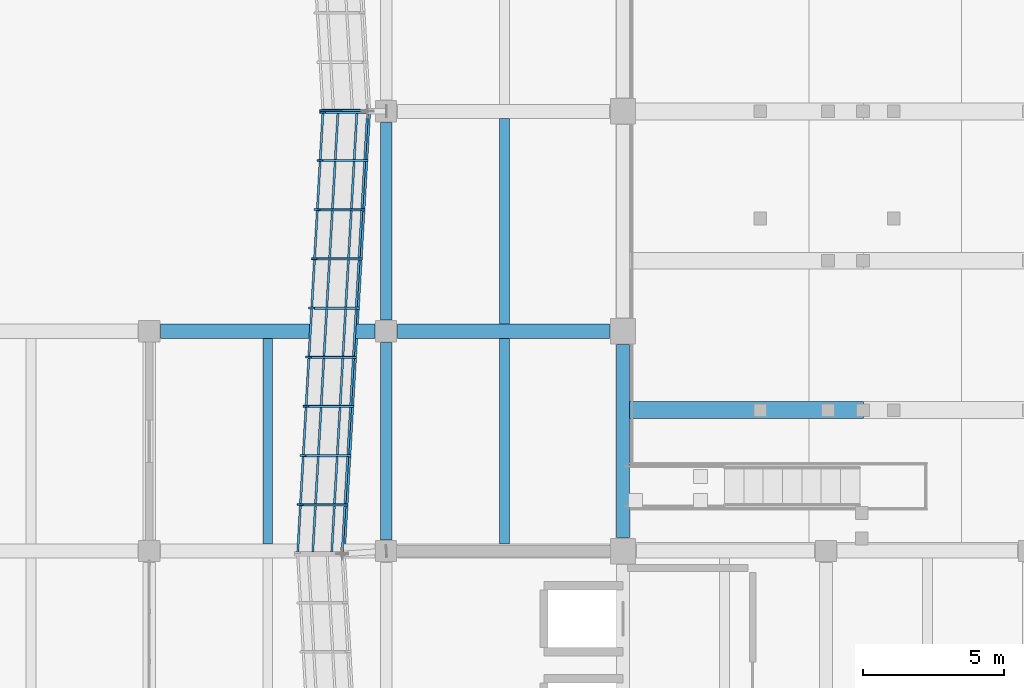
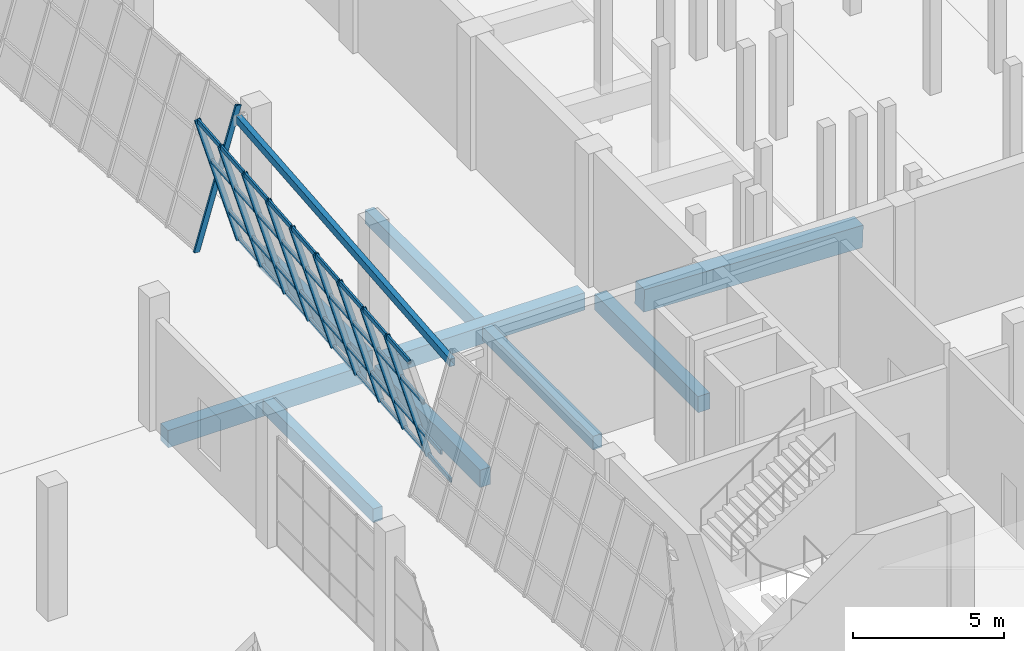
# One storey, part 23 of 78: 46 members, 10 beams, 2 elements without a shape of their own.
"""IFC4 building model written with IfcOpenShell, lengths in metres."""

from ifc_helpers import new_model, si_unit, direction, frame, origin, origin_2d, place, context, subcontext, project, spatial, rectangle, hollow_rectangle, extrude, material, material_profile, profile_set, type_object, element, aggregate, save


model = new_model("IFC4")

# Units and contexts
model_context = context("Model", 3, precision=1e-05, world=origin(), true_north=direction((0.0, 1.0)))
body_context = subcontext(model_context, "Body", "Model", "MODEL_VIEW")
ifc_project = project(units=[si_unit("LENGTHUNIT", "METRE"), si_unit("AREAUNIT", "SQUARE_METRE"), si_unit("VOLUMEUNIT", "CUBIC_METRE"), si_unit("PLANEANGLEUNIT", "RADIAN"), si_unit("MASSUNIT", "GRAM", prefix="KILO")], contexts=[model_context])

# Site, building, storey
site_placement = place(None, origin())
site = spatial("IfcSite", under=ifc_project, at=site_placement, CompositionType="ELEMENT")
building_placement = place(site_placement, origin())
building = spatial("IfcBuilding", under=site, at=building_placement, Name="Pellamere Symphony Hall", CompositionType="ELEMENT")
storey_placement = place(building_placement, origin())
storey = spatial("IfcBuildingStorey", under=building, at=storey_placement, Name="L00", CompositionType="ELEMENT", Elevation=0.0)

# Curtain wall, member
ifc_material_1 = material(Name="Thermally Broken Anodised Aluminium 6063-T6 Curtain Wall", Category="aluminium")
curtain_wall_type = type_object("IfcCurtainWallType", Name="Curtain Wall CW-01 (Tilted Faceted Crystal Low-Iron Curtain Wall)", PredefinedType="NOTDEFINED", material=ifc_material_1)
curtain_wall_1_placement = place(storey_placement, origin())
curtain_wall_1 = element("IfcCurtainWall", 1, at=curtain_wall_1_placement, inside=storey, type_object=curtain_wall_type, Name="Crystal Faceted Curtain Wall CW-CR16 (L00)", PredefinedType="NOTDEFINED")
ifc_material_2 = material(Name="Anodised Architectural Aluminium 6063-T6", Category="aluminium")
ifc_material_profile_1 = material_profile(ifc_material_2, hollow_rectangle(XDim=0.074951171875, YDim=0.219970703125, WallThickness=0.0048828125, at=origin_2d()), Name="ALU-M75X220X5")
ifc_profile_set_1 = profile_set([ifc_material_profile_1], Name="Anodised Architectural Aluminium 6063-T6")
member_type_1 = type_object("IfcMemberType", Name="Curtain Wall Mullion ML-01 ALU-M75X220X5", PredefinedType="MULLION", material=ifc_profile_set_1)
member_1_placement = place(storey_placement, frame((48.148193359375, 61.83740234375, 0.0), z_axis=(0.284029290042, 0.0, 0.958815603961), x_axis=(-0.054873864247, 0.99836096977, 0.016255247244)))
member_1 = element("IfcMember", 2, at=member_1_placement, type_object=member_type_1, Name="CW1-042 crystal mullion 10", PredefinedType="MULLION", context=body_context, shape_type="SweptSolid", body=[
    extrude(hollow_rectangle(XDim=0.074951171875, YDim=0.219970703125, WallThickness=0.0048828125, at=origin_2d()), origin(), (0.0, 0.0, 1.0), 5.6318359375),
])
aggregate(curtain_wall_1, [member_1])

# Curtain wall, members
curtain_wall_2_placement = place(storey_placement, origin())
curtain_wall_2 = element("IfcCurtainWall", 3, at=curtain_wall_2_placement, inside=storey, type_object=curtain_wall_type, Name="Crystal Faceted Curtain Wall CW-CR17 (L00)", PredefinedType="NOTDEFINED")
member_2_placement = place(storey_placement, frame((49.747802734375, 61.762451171875, 0.0), z_axis=(-0.284029290042, 0.0, 0.958815603961), x_axis=(-0.054873864247, -0.99836096977, -0.016255247244)))
member_2 = element("IfcMember", 4, at=member_2_placement, type_object=member_type_1, Name="CW1-047 crystal mullion 1", PredefinedType="MULLION", context=body_context, shape_type="SweptSolid", body=[
    extrude(hollow_rectangle(XDim=0.074951171875, YDim=0.219970703125, WallThickness=0.0048828125, at=origin_2d()), origin(), (0.0, 0.0, 1.0), 5.6318359375),
])
member_3_placement = place(storey_placement, frame((49.64990234375, 60.0556640625, 0.0), z_axis=(-0.284029290042, 0.0, 0.958815603961), x_axis=(-0.054873864247, -0.99836096977, -0.016255247244)))
member_3 = element("IfcMember", 5, at=member_3_placement, type_object=member_type_1, Name="CW1-047 crystal mullion 2", PredefinedType="MULLION", context=body_context, shape_type="SweptSolid", body=[
    extrude(hollow_rectangle(XDim=0.074951171875, YDim=0.219970703125, WallThickness=0.0048828125, at=origin_2d()), origin(), (0.0, 0.0, 1.0), 5.6318359375),
])
member_4_placement = place(storey_placement, frame((49.550048828125, 58.31103515625, 0.0), z_axis=(-0.284029290042, 0.0, 0.958815603961), x_axis=(-0.054873864247, -0.99836096977, -0.016255247244)))
member_4 = element("IfcMember", 6, at=member_4_placement, type_object=member_type_1, Name="CW1-047 crystal mullion 3", PredefinedType="MULLION", context=body_context, shape_type="SweptSolid", body=[
    extrude(hollow_rectangle(XDim=0.074951171875, YDim=0.219970703125, WallThickness=0.0048828125, at=origin_2d()), origin(), (0.0, 0.0, 1.0), 5.6318359375),
])
member_5_placement = place(storey_placement, frame((49.449951171875, 56.566650390625, 0.0), z_axis=(-0.284029290042, 0.0, 0.958815603961), x_axis=(-0.054873864247, -0.99836096977, -0.016255247244)))
member_5 = element("IfcMember", 7, at=member_5_placement, type_object=member_type_1, Name="CW1-047 crystal mullion 4", PredefinedType="MULLION", context=body_context, shape_type="SweptSolid", body=[
    extrude(hollow_rectangle(XDim=0.074951171875, YDim=0.219970703125, WallThickness=0.0048828125, at=origin_2d()), origin(), (0.0, 0.0, 1.0), 5.6318359375),
])
member_6_placement = place(storey_placement, frame((49.35009765625, 54.822265625, 0.0), z_axis=(-0.284029290042, 0.0, 0.958815603961), x_axis=(-0.054873864247, -0.99836096977, -0.016255247244)))
member_6 = element("IfcMember", 8, at=member_6_placement, type_object=member_type_1, Name="CW1-047 crystal mullion 5", PredefinedType="MULLION", context=body_context, shape_type="SweptSolid", body=[
    extrude(hollow_rectangle(XDim=0.074951171875, YDim=0.219970703125, WallThickness=0.0048828125, at=origin_2d()), origin(), (0.0, 0.0, 1.0), 5.6318359375),
])
member_7_placement = place(storey_placement, frame((49.25, 53.077880859375, 0.0), z_axis=(-0.284029290042, 0.0, 0.958815603961), x_axis=(-0.054873864247, -0.99836096977, -0.016255247244)))
member_7 = element("IfcMember", 9, at=member_7_placement, type_object=member_type_1, Name="CW1-047 crystal mullion 6", PredefinedType="MULLION", context=body_context, shape_type="SweptSolid", body=[
    extrude(hollow_rectangle(XDim=0.074951171875, YDim=0.219970703125, WallThickness=0.0048828125, at=origin_2d()), origin(), (0.0, 0.0, 1.0), 5.6318359375),
])
member_8_placement = place(storey_placement, frame((49.14990234375, 51.333251953125, 0.0), z_axis=(-0.284029290042, 0.0, 0.958815603961), x_axis=(-0.054873864247, -0.99836096977, -0.016255247244)))
member_8 = element("IfcMember", 10, at=member_8_placement, type_object=member_type_1, Name="CW1-047 crystal mullion 7", PredefinedType="MULLION", context=body_context, shape_type="SweptSolid", body=[
    extrude(hollow_rectangle(XDim=0.074951171875, YDim=0.219970703125, WallThickness=0.0048828125, at=origin_2d()), origin(), (0.0, 0.0, 1.0), 5.6318359375),
])
member_9_placement = place(storey_placement, frame((49.050048828125, 49.5888671875, 0.0), z_axis=(-0.284029290042, 0.0, 0.958815603961), x_axis=(-0.054873864247, -0.99836096977, -0.016255247244)))
member_9 = element("IfcMember", 11, at=member_9_placement, type_object=member_type_1, Name="CW1-047 crystal mullion 8", PredefinedType="MULLION", context=body_context, shape_type="SweptSolid", body=[
    extrude(hollow_rectangle(XDim=0.074951171875, YDim=0.219970703125, WallThickness=0.0048828125, at=origin_2d()), origin(), (0.0, 0.0, 1.0), 5.6318359375),
])
member_10_placement = place(storey_placement, frame((48.949951171875, 47.844482421875, 0.0), z_axis=(-0.284029290042, 0.0, 0.958815603961), x_axis=(-0.054873864247, -0.99836096977, -0.016255247244)))
member_10 = element("IfcMember", 12, at=member_10_placement, type_object=member_type_1, Name="CW1-047 crystal mullion 9", PredefinedType="MULLION", context=body_context, shape_type="SweptSolid", body=[
    extrude(hollow_rectangle(XDim=0.074951171875, YDim=0.219970703125, WallThickness=0.0048828125, at=origin_2d()), origin(), (0.0, 0.0, 1.0), 5.6318359375),
])
ifc_material_profile_2 = material_profile(ifc_material_2, hollow_rectangle(XDim=0.074951171875, YDim=0.179931640625, WallThickness=0.0048828125, at=origin_2d()), Name="ALU-T75X180X5")
ifc_profile_set_2 = profile_set([ifc_material_profile_2], Name="Anodised Architectural Aluminium 6063-T6")
member_type_2 = type_object("IfcMemberType", Name="Curtain Wall Transom TR-01 ALU-T75X180X5", PredefinedType="USERDEFINED", material=ifc_profile_set_2)
member_11_placement = place(storey_placement, frame((49.735107421875, 61.72509765625, 0.035888671875), z_axis=(-0.057198647566, -0.998362817175, 0.0), x_axis=(0.998362817175, -0.057198647566, 0.0)))
member_11 = element("IfcMember", 13, at=member_11_placement, type_object=member_type_2, Name="CW1-047 crystal transom 1.1", ObjectType="TRANSOM", PredefinedType="USERDEFINED", context=body_context, shape_type="SweptSolid", body=[
    extrude(hollow_rectangle(XDim=0.074951171875, YDim=0.179931640625, WallThickness=0.0048828125, at=origin_2d()), origin(), (0.0, 0.0, 1.0), 1.634765625),
])
member_12_placement = place(storey_placement, frame((49.36181640625, 61.72509765625, 1.2958984375), z_axis=(-0.057198647566, -0.998362817175, 0.0), x_axis=(0.998362817175, -0.057198647566, 0.0)))
member_12 = element("IfcMember", 14, at=member_12_placement, type_object=member_type_2, Name="CW1-047 crystal transom 1.2", ObjectType="TRANSOM", PredefinedType="USERDEFINED", context=body_context, shape_type="SweptSolid", body=[
    extrude(hollow_rectangle(XDim=0.074951171875, YDim=0.179931640625, WallThickness=0.0048828125, at=origin_2d()), origin(), (0.0, 0.0, 1.0), 1.634765625),
])
member_13_placement = place(storey_placement, frame((48.68994140625, 61.72509765625, 3.56396484375), z_axis=(-0.057198647566, -0.998362817175, 0.0), x_axis=(0.998362817175, -0.057198647566, 0.0)))
member_13 = element("IfcMember", 15, at=member_13_placement, type_object=member_type_2, Name="CW1-047 crystal transom 1.3", ObjectType="TRANSOM", PredefinedType="USERDEFINED", context=body_context, shape_type="SweptSolid", body=[
    extrude(hollow_rectangle(XDim=0.074951171875, YDim=0.179931640625, WallThickness=0.0048828125, at=origin_2d()), origin(), (0.0, 0.0, 1.0), 1.634765625),
])
member_14_placement = place(storey_placement, frame((48.15673828125, 61.72509765625, 5.364013671875), z_axis=(-0.057198647566, -0.998362817175, 0.0), x_axis=(0.998362817175, -0.057198647566, 0.0)))
member_14 = element("IfcMember", 16, at=member_14_placement, type_object=member_type_2, Name="CW1-047 crystal transom 1.4", ObjectType="TRANSOM", PredefinedType="USERDEFINED", context=body_context, shape_type="SweptSolid", body=[
    extrude(hollow_rectangle(XDim=0.074951171875, YDim=0.179931640625, WallThickness=0.0048828125, at=origin_2d()), origin(), (0.0, 0.0, 1.0), 1.634765625),
])
member_15_placement = place(storey_placement, frame((49.63720703125, 60.01806640625, 0.035888671875), z_axis=(-0.057232737422, -0.998360863499, 0.0), x_axis=(0.998360863499, -0.057232737422, 0.0)))
member_15 = element("IfcMember", 17, at=member_15_placement, type_object=member_type_2, Name="CW1-047 crystal transom 2.1", ObjectType="TRANSOM", PredefinedType="USERDEFINED", context=body_context, shape_type="SweptSolid", body=[
    extrude(hollow_rectangle(XDim=0.074951171875, YDim=0.179931640625, WallThickness=0.0048828125, at=origin_2d()), origin(), (0.0, 0.0, 1.0), 1.672119140625),
])
member_16_placement = place(storey_placement, frame((49.263916015625, 60.01806640625, 1.2958984375), z_axis=(-0.057232737422, -0.998360863499, 0.0), x_axis=(0.998360863499, -0.057232737422, 0.0)))
member_16 = element("IfcMember", 18, at=member_16_placement, type_object=member_type_2, Name="CW1-047 crystal transom 2.2", ObjectType="TRANSOM", PredefinedType="USERDEFINED", context=body_context, shape_type="SweptSolid", body=[
    extrude(hollow_rectangle(XDim=0.074951171875, YDim=0.179931640625, WallThickness=0.0048828125, at=origin_2d()), origin(), (0.0, 0.0, 1.0), 1.672119140625),
])
member_17_placement = place(storey_placement, frame((48.592041015625, 60.01806640625, 3.56396484375), z_axis=(-0.057232737422, -0.998360863499, 0.0), x_axis=(0.998360863499, -0.057232737422, 0.0)))
member_17 = element("IfcMember", 19, at=member_17_placement, type_object=member_type_2, Name="CW1-047 crystal transom 2.3", ObjectType="TRANSOM", PredefinedType="USERDEFINED", context=body_context, shape_type="SweptSolid", body=[
    extrude(hollow_rectangle(XDim=0.074951171875, YDim=0.179931640625, WallThickness=0.0048828125, at=origin_2d()), origin(), (0.0, 0.0, 1.0), 1.672119140625),
])
member_18_placement = place(storey_placement, frame((48.058837890625, 60.01806640625, 5.364013671875), z_axis=(-0.057232737422, -0.998360863499, 0.0), x_axis=(0.998360863499, -0.057232737422, 0.0)))
member_18 = element("IfcMember", 20, at=member_18_placement, type_object=member_type_2, Name="CW1-047 crystal transom 2.4", ObjectType="TRANSOM", PredefinedType="USERDEFINED", context=body_context, shape_type="SweptSolid", body=[
    extrude(hollow_rectangle(XDim=0.074951171875, YDim=0.179931640625, WallThickness=0.0048828125, at=origin_2d()), origin(), (0.0, 0.0, 1.0), 1.672119140625),
])
member_19_placement = place(storey_placement, frame((49.537109375, 58.273681640625, 0.035888671875), z_axis=(-0.057224396245, -0.998361341637, 0.0), x_axis=(0.998361341637, -0.057224396245, 0.0)))
member_19 = element("IfcMember", 21, at=member_19_placement, type_object=member_type_2, Name="CW1-047 crystal transom 3.1", ObjectType="TRANSOM", PredefinedType="USERDEFINED", context=body_context, shape_type="SweptSolid", body=[
    extrude(hollow_rectangle(XDim=0.074951171875, YDim=0.179931640625, WallThickness=0.0048828125, at=origin_2d()), origin(), (0.0, 0.0, 1.0), 1.67236328125),
])
member_20_placement = place(storey_placement, frame((49.1640625, 58.273681640625, 1.2958984375), z_axis=(-0.057224396245, -0.998361341637, 0.0), x_axis=(0.998361341637, -0.057224396245, 0.0)))
member_20 = element("IfcMember", 22, at=member_20_placement, type_object=member_type_2, Name="CW1-047 crystal transom 3.2", ObjectType="TRANSOM", PredefinedType="USERDEFINED", context=body_context, shape_type="SweptSolid", body=[
    extrude(hollow_rectangle(XDim=0.074951171875, YDim=0.179931640625, WallThickness=0.0048828125, at=origin_2d()), origin(), (0.0, 0.0, 1.0), 1.67236328125),
])
member_21_placement = place(storey_placement, frame((48.4921875, 58.273681640625, 3.56396484375), z_axis=(-0.057224396245, -0.998361341637, 0.0), x_axis=(0.998361341637, -0.057224396245, 0.0)))
member_21 = element("IfcMember", 23, at=member_21_placement, type_object=member_type_2, Name="CW1-047 crystal transom 3.3", ObjectType="TRANSOM", PredefinedType="USERDEFINED", context=body_context, shape_type="SweptSolid", body=[
    extrude(hollow_rectangle(XDim=0.074951171875, YDim=0.179931640625, WallThickness=0.0048828125, at=origin_2d()), origin(), (0.0, 0.0, 1.0), 1.67236328125),
])
member_22_placement = place(storey_placement, frame((47.958984375, 58.273681640625, 5.364013671875), z_axis=(-0.057224396245, -0.998361341637, 0.0), x_axis=(0.998361341637, -0.057224396245, 0.0)))
member_22 = element("IfcMember", 24, at=member_22_placement, type_object=member_type_2, Name="CW1-047 crystal transom 3.4", ObjectType="TRANSOM", PredefinedType="USERDEFINED", context=body_context, shape_type="SweptSolid", body=[
    extrude(hollow_rectangle(XDim=0.074951171875, YDim=0.179931640625, WallThickness=0.0048828125, at=origin_2d()), origin(), (0.0, 0.0, 1.0), 1.67236328125),
])
member_23_placement = place(storey_placement, frame((49.437255859375, 56.529296875, 0.035888671875), z_axis=(-0.057224396245, -0.998361341637, 0.0), x_axis=(0.998361341637, -0.057224396245, 0.0)))
member_23 = element("IfcMember", 25, at=member_23_placement, type_object=member_type_2, Name="CW1-047 crystal transom 4.1", ObjectType="TRANSOM", PredefinedType="USERDEFINED", context=body_context, shape_type="SweptSolid", body=[
    extrude(hollow_rectangle(XDim=0.074951171875, YDim=0.179931640625, WallThickness=0.0048828125, at=origin_2d()), origin(), (0.0, 0.0, 1.0), 1.67236328125),
])
member_24_placement = place(storey_placement, frame((49.06396484375, 56.529296875, 1.2958984375), z_axis=(-0.057224396245, -0.998361341637, 0.0), x_axis=(0.998361341637, -0.057224396245, 0.0)))
member_24 = element("IfcMember", 26, at=member_24_placement, type_object=member_type_2, Name="CW1-047 crystal transom 4.2", ObjectType="TRANSOM", PredefinedType="USERDEFINED", context=body_context, shape_type="SweptSolid", body=[
    extrude(hollow_rectangle(XDim=0.074951171875, YDim=0.179931640625, WallThickness=0.0048828125, at=origin_2d()), origin(), (0.0, 0.0, 1.0), 1.67236328125),
])
member_25_placement = place(storey_placement, frame((48.39208984375, 56.529296875, 3.56396484375), z_axis=(-0.057224396245, -0.998361341637, 0.0), x_axis=(0.998361341637, -0.057224396245, 0.0)))
member_25 = element("IfcMember", 27, at=member_25_placement, type_object=member_type_2, Name="CW1-047 crystal transom 4.3", ObjectType="TRANSOM", PredefinedType="USERDEFINED", context=body_context, shape_type="SweptSolid", body=[
    extrude(hollow_rectangle(XDim=0.074951171875, YDim=0.179931640625, WallThickness=0.0048828125, at=origin_2d()), origin(), (0.0, 0.0, 1.0), 1.67236328125),
])
member_26_placement = place(storey_placement, frame((47.85888671875, 56.529296875, 5.364013671875), z_axis=(-0.057224396245, -0.998361341637, 0.0), x_axis=(0.998361341637, -0.057224396245, 0.0)))
member_26 = element("IfcMember", 28, at=member_26_placement, type_object=member_type_2, Name="CW1-047 crystal transom 4.4", ObjectType="TRANSOM", PredefinedType="USERDEFINED", context=body_context, shape_type="SweptSolid", body=[
    extrude(hollow_rectangle(XDim=0.074951171875, YDim=0.179931640625, WallThickness=0.0048828125, at=origin_2d()), origin(), (0.0, 0.0, 1.0), 1.67236328125),
])
member_27_placement = place(storey_placement, frame((49.337158203125, 54.78466796875, 0.035888671875), z_axis=(-0.057232737422, -0.998360863499, 0.0), x_axis=(0.998360863499, -0.057232737422, 0.0)))
member_27 = element("IfcMember", 29, at=member_27_placement, type_object=member_type_2, Name="CW1-047 crystal transom 5.1", ObjectType="TRANSOM", PredefinedType="USERDEFINED", context=body_context, shape_type="SweptSolid", body=[
    extrude(hollow_rectangle(XDim=0.074951171875, YDim=0.179931640625, WallThickness=0.0048828125, at=origin_2d()), origin(), (0.0, 0.0, 1.0), 1.672119140625),
])
member_28_placement = place(storey_placement, frame((48.9638671875, 54.78466796875, 1.2958984375), z_axis=(-0.057232737422, -0.998360863499, 0.0), x_axis=(0.998360863499, -0.057232737422, 0.0)))
member_28 = element("IfcMember", 30, at=member_28_placement, type_object=member_type_2, Name="CW1-047 crystal transom 5.2", ObjectType="TRANSOM", PredefinedType="USERDEFINED", context=body_context, shape_type="SweptSolid", body=[
    extrude(hollow_rectangle(XDim=0.074951171875, YDim=0.179931640625, WallThickness=0.0048828125, at=origin_2d()), origin(), (0.0, 0.0, 1.0), 1.672119140625),
])
member_29_placement = place(storey_placement, frame((48.292236328125, 54.78466796875, 3.56396484375), z_axis=(-0.057378259236, -0.998352510573, 0.0), x_axis=(0.998352510573, -0.057378259236, 0.0)))
member_29 = element("IfcMember", 31, at=member_29_placement, type_object=member_type_2, Name="CW1-047 crystal transom 5.3", ObjectType="TRANSOM", PredefinedType="USERDEFINED", context=body_context, shape_type="SweptSolid", body=[
    extrude(hollow_rectangle(XDim=0.074951171875, YDim=0.179931640625, WallThickness=0.0048828125, at=origin_2d()), origin(), (0.0, 0.0, 1.0), 1.672119140625),
])
member_30_placement = place(storey_placement, frame((47.7587890625, 54.78466796875, 5.364013671875), z_axis=(-0.057232737422, -0.998360863499, 0.0), x_axis=(0.998360863499, -0.057232737422, 0.0)))
member_30 = element("IfcMember", 32, at=member_30_placement, type_object=member_type_2, Name="CW1-047 crystal transom 5.4", ObjectType="TRANSOM", PredefinedType="USERDEFINED", context=body_context, shape_type="SweptSolid", body=[
    extrude(hollow_rectangle(XDim=0.074951171875, YDim=0.179931640625, WallThickness=0.0048828125, at=origin_2d()), origin(), (0.0, 0.0, 1.0), 1.672119140625),
])
member_31_placement = place(storey_placement, frame((49.2373046875, 53.040283203125, 0.035888671875), z_axis=(-0.057232737422, -0.998360863499, 0.0), x_axis=(0.998360863499, -0.057232737422, 0.0)))
member_31 = element("IfcMember", 33, at=member_31_placement, type_object=member_type_2, Name="CW1-047 crystal transom 6.1", ObjectType="TRANSOM", PredefinedType="USERDEFINED", context=body_context, shape_type="SweptSolid", body=[
    extrude(hollow_rectangle(XDim=0.074951171875, YDim=0.179931640625, WallThickness=0.0048828125, at=origin_2d()), origin(), (0.0, 0.0, 1.0), 1.672119140625),
])
member_32_placement = place(storey_placement, frame((48.864013671875, 53.040283203125, 1.2958984375), z_axis=(-0.057232737422, -0.998360863499, 0.0), x_axis=(0.998360863499, -0.057232737422, 0.0)))
member_32 = element("IfcMember", 34, at=member_32_placement, type_object=member_type_2, Name="CW1-047 crystal transom 6.2", ObjectType="TRANSOM", PredefinedType="USERDEFINED", context=body_context, shape_type="SweptSolid", body=[
    extrude(hollow_rectangle(XDim=0.074951171875, YDim=0.179931640625, WallThickness=0.0048828125, at=origin_2d()), origin(), (0.0, 0.0, 1.0), 1.672119140625),
])
member_33_placement = place(storey_placement, frame((48.192138671875, 53.040283203125, 3.56396484375), z_axis=(-0.057232737422, -0.998360863499, 0.0), x_axis=(0.998360863499, -0.057232737422, 0.0)))
member_33 = element("IfcMember", 35, at=member_33_placement, type_object=member_type_2, Name="CW1-047 crystal transom 6.3", ObjectType="TRANSOM", PredefinedType="USERDEFINED", context=body_context, shape_type="SweptSolid", body=[
    extrude(hollow_rectangle(XDim=0.074951171875, YDim=0.179931640625, WallThickness=0.0048828125, at=origin_2d()), origin(), (0.0, 0.0, 1.0), 1.672119140625),
])
member_34_placement = place(storey_placement, frame((47.658935546875, 53.040283203125, 5.364013671875), z_axis=(-0.057232737422, -0.998360863499, 0.0), x_axis=(0.998360863499, -0.057232737422, 0.0)))
member_34 = element("IfcMember", 36, at=member_34_placement, type_object=member_type_2, Name="CW1-047 crystal transom 6.4", ObjectType="TRANSOM", PredefinedType="USERDEFINED", context=body_context, shape_type="SweptSolid", body=[
    extrude(hollow_rectangle(XDim=0.074951171875, YDim=0.179931640625, WallThickness=0.0048828125, at=origin_2d()), origin(), (0.0, 0.0, 1.0), 1.672119140625),
])
member_35_placement = place(storey_placement, frame((49.13720703125, 51.2958984375, 0.035888671875), z_axis=(-0.057224396245, -0.998361341637, 0.0), x_axis=(0.998361341637, -0.057224396245, 0.0)))
member_35 = element("IfcMember", 37, at=member_35_placement, type_object=member_type_2, Name="CW1-047 crystal transom 7.1", ObjectType="TRANSOM", PredefinedType="USERDEFINED", context=body_context, shape_type="SweptSolid", body=[
    extrude(hollow_rectangle(XDim=0.074951171875, YDim=0.179931640625, WallThickness=0.0048828125, at=origin_2d()), origin(), (0.0, 0.0, 1.0), 1.67236328125),
])
member_36_placement = place(storey_placement, frame((48.763916015625, 51.2958984375, 1.2958984375), z_axis=(-0.057224396245, -0.998361341637, 0.0), x_axis=(0.998361341637, -0.057224396245, 0.0)))
member_36 = element("IfcMember", 38, at=member_36_placement, type_object=member_type_2, Name="CW1-047 crystal transom 7.2", ObjectType="TRANSOM", PredefinedType="USERDEFINED", context=body_context, shape_type="SweptSolid", body=[
    extrude(hollow_rectangle(XDim=0.074951171875, YDim=0.179931640625, WallThickness=0.0048828125, at=origin_2d()), origin(), (0.0, 0.0, 1.0), 1.67236328125),
])
member_37_placement = place(storey_placement, frame((48.092041015625, 51.2958984375, 3.56396484375), z_axis=(-0.057224396245, -0.998361341637, 0.0), x_axis=(0.998361341637, -0.057224396245, 0.0)))
member_37 = element("IfcMember", 39, at=member_37_placement, type_object=member_type_2, Name="CW1-047 crystal transom 7.3", ObjectType="TRANSOM", PredefinedType="USERDEFINED", context=body_context, shape_type="SweptSolid", body=[
    extrude(hollow_rectangle(XDim=0.074951171875, YDim=0.179931640625, WallThickness=0.0048828125, at=origin_2d()), origin(), (0.0, 0.0, 1.0), 1.67236328125),
])
member_38_placement = place(storey_placement, frame((47.558837890625, 51.2958984375, 5.364013671875), z_axis=(-0.057224396245, -0.998361341637, 0.0), x_axis=(0.998361341637, -0.057224396245, 0.0)))
member_38 = element("IfcMember", 40, at=member_38_placement, type_object=member_type_2, Name="CW1-047 crystal transom 7.4", ObjectType="TRANSOM", PredefinedType="USERDEFINED", context=body_context, shape_type="SweptSolid", body=[
    extrude(hollow_rectangle(XDim=0.074951171875, YDim=0.179931640625, WallThickness=0.0048828125, at=origin_2d()), origin(), (0.0, 0.0, 1.0), 1.67236328125),
])
member_39_placement = place(storey_placement, frame((49.037109375, 49.551513671875, 0.035888671875), z_axis=(-0.057224396245, -0.998361341637, 0.0), x_axis=(0.998361341637, -0.057224396245, 0.0)))
member_39 = element("IfcMember", 41, at=member_39_placement, type_object=member_type_2, Name="CW1-047 crystal transom 8.1", ObjectType="TRANSOM", PredefinedType="USERDEFINED", context=body_context, shape_type="SweptSolid", body=[
    extrude(hollow_rectangle(XDim=0.074951171875, YDim=0.179931640625, WallThickness=0.0048828125, at=origin_2d()), origin(), (0.0, 0.0, 1.0), 1.67236328125),
])
member_40_placement = place(storey_placement, frame((48.6640625, 49.551513671875, 1.2958984375), z_axis=(-0.057224396245, -0.998361341637, 0.0), x_axis=(0.998361341637, -0.057224396245, 0.0)))
member_40 = element("IfcMember", 42, at=member_40_placement, type_object=member_type_2, Name="CW1-047 crystal transom 8.2", ObjectType="TRANSOM", PredefinedType="USERDEFINED", context=body_context, shape_type="SweptSolid", body=[
    extrude(hollow_rectangle(XDim=0.074951171875, YDim=0.179931640625, WallThickness=0.0048828125, at=origin_2d()), origin(), (0.0, 0.0, 1.0), 1.67236328125),
])
member_41_placement = place(storey_placement, frame((47.9921875, 49.551513671875, 3.56396484375), z_axis=(-0.057224396245, -0.998361341637, 0.0), x_axis=(0.998361341637, -0.057224396245, 0.0)))
member_41 = element("IfcMember", 43, at=member_41_placement, type_object=member_type_2, Name="CW1-047 crystal transom 8.3", ObjectType="TRANSOM", PredefinedType="USERDEFINED", context=body_context, shape_type="SweptSolid", body=[
    extrude(hollow_rectangle(XDim=0.074951171875, YDim=0.179931640625, WallThickness=0.0048828125, at=origin_2d()), origin(), (0.0, 0.0, 1.0), 1.67236328125),
])
member_42_placement = place(storey_placement, frame((47.458984375, 49.551513671875, 5.364013671875), z_axis=(-0.057224396245, -0.998361341637, 0.0), x_axis=(0.998361341637, -0.057224396245, 0.0)))
member_42 = element("IfcMember", 44, at=member_42_placement, type_object=member_type_2, Name="CW1-047 crystal transom 8.4", ObjectType="TRANSOM", PredefinedType="USERDEFINED", context=body_context, shape_type="SweptSolid", body=[
    extrude(hollow_rectangle(XDim=0.074951171875, YDim=0.179931640625, WallThickness=0.0048828125, at=origin_2d()), origin(), (0.0, 0.0, 1.0), 1.67236328125),
])
member_43_placement = place(storey_placement, frame((48.937255859375, 47.806884765625, 0.035888671875), z_axis=(-0.057198647566, -0.998362817175, 0.0), x_axis=(0.998362817175, -0.057198647566, 0.0)))
member_43 = element("IfcMember", 45, at=member_43_placement, type_object=member_type_2, Name="CW1-047 crystal transom 9.1", ObjectType="TRANSOM", PredefinedType="USERDEFINED", context=body_context, shape_type="SweptSolid", body=[
    extrude(hollow_rectangle(XDim=0.074951171875, YDim=0.179931640625, WallThickness=0.0048828125, at=origin_2d()), origin(), (0.0, 0.0, 1.0), 1.634765625),
])
member_44_placement = place(storey_placement, frame((48.56396484375, 47.806884765625, 1.2958984375), z_axis=(-0.057198647566, -0.998362817175, 0.0), x_axis=(0.998362817175, -0.057198647566, 0.0)))
member_44 = element("IfcMember", 46, at=member_44_placement, type_object=member_type_2, Name="CW1-047 crystal transom 9.2", ObjectType="TRANSOM", PredefinedType="USERDEFINED", context=body_context, shape_type="SweptSolid", body=[
    extrude(hollow_rectangle(XDim=0.074951171875, YDim=0.179931640625, WallThickness=0.0048828125, at=origin_2d()), origin(), (0.0, 0.0, 1.0), 1.634765625),
])
member_45_placement = place(storey_placement, frame((47.89208984375, 47.806884765625, 3.56396484375), z_axis=(-0.057198647566, -0.998362817175, 0.0), x_axis=(0.998362817175, -0.057198647566, 0.0)))
member_45 = element("IfcMember", 47, at=member_45_placement, type_object=member_type_2, Name="CW1-047 crystal transom 9.3", ObjectType="TRANSOM", PredefinedType="USERDEFINED", context=body_context, shape_type="SweptSolid", body=[
    extrude(hollow_rectangle(XDim=0.074951171875, YDim=0.179931640625, WallThickness=0.0048828125, at=origin_2d()), origin(), (0.0, 0.0, 1.0), 1.634765625),
])
member_46_placement = place(storey_placement, frame((47.35888671875, 47.806884765625, 5.364013671875), z_axis=(-0.057198647566, -0.998362817175, 0.0), x_axis=(0.998362817175, -0.057198647566, 0.0)))
member_46 = element("IfcMember", 48, at=member_46_placement, type_object=member_type_2, Name="CW1-047 crystal transom 9.4", ObjectType="TRANSOM", PredefinedType="USERDEFINED", context=body_context, shape_type="SweptSolid", body=[
    extrude(hollow_rectangle(XDim=0.074951171875, YDim=0.179931640625, WallThickness=0.0048828125, at=origin_2d()), origin(), (0.0, 0.0, 1.0), 1.634765625),
])
aggregate(curtain_wall_2, [member_2, member_3, member_4, member_5, member_6, member_7, member_8, member_9, member_10, member_11, member_12, member_13, member_14, member_15, member_16, member_17, member_18, member_19, member_20, member_21, member_22, member_23, member_24, member_25, member_26, member_27, member_28, member_29, member_30, member_31, member_32, member_33, member_34, member_35, member_36, member_37, member_38, member_39, member_40, member_41, member_42, member_43, member_44, member_45, member_46])

# Beams
ifc_material_3 = material(Name="Concrete 40 MPa", Category="concrete")
ifc_material_profile_3 = material_profile(ifc_material_3, rectangle(XDim=0.5, YDim=0.699951171875, at=origin_2d()), Name="RC 500x700")
ifc_profile_set_3 = profile_set([ifc_material_profile_3], Name="Concrete 40 MPa")
beam_type_1 = type_object("IfcBeamType", Name="RC CB-07 500x700", PredefinedType="BEAM", material=ifc_profile_set_3)
beam_1_placement = place(storey_placement, frame((42.39990234375, 54.0, -0.64990234375), z_axis=(1.0, 0.0, 0.0), x_axis=(0.0, 1.0, 0.0)))
element("IfcBeam", 49, at=beam_1_placement, inside=storey, type_object=beam_type_1, Name="Girder CB-07-X0115 (L00)", PredefinedType="BEAM", context=body_context, shape_type="SweptSolid", body=[
    extrude(rectangle(XDim=0.5, YDim=0.699951171875, at=origin_2d()), origin(), (0.0, 0.0, 1.0), 7.60009765625),
])
beam_2_placement = place(storey_placement, frame((50.800048828125, 54.0, -0.64990234375), z_axis=(1.0, 0.0, 0.0), x_axis=(0.0, 1.0, 0.0)))
element("IfcBeam", 50, at=beam_2_placement, inside=storey, type_object=beam_type_1, Name="Girder CB-07-X0116 (L00)", PredefinedType="BEAM", context=body_context, shape_type="SweptSolid", body=[
    extrude(rectangle(XDim=0.5, YDim=0.699951171875, at=origin_2d()), origin(), (0.0, 0.0, 1.0), 7.52490234375),
])
ifc_material_profile_4 = material_profile(ifc_material_3, rectangle(XDim=0.449951171875, YDim=0.64990234375, at=origin_2d()), Name="RC 450x650")
ifc_profile_set_4 = profile_set([ifc_material_profile_4], Name="Concrete 40 MPa")
beam_type_2 = type_object("IfcBeamType", Name="RC CB-08 450x650", PredefinedType="BEAM", material=ifc_profile_set_4)
beam_3_placement = place(storey_placement, frame((58.800048828125, 46.675048828125, -0.625), z_axis=(0.0, 1.0, 0.0), x_axis=(-1.0, 0.0, 0.0)))
element("IfcBeam", 51, at=beam_3_placement, inside=storey, type_object=beam_type_2, Name="Girder CB-08-Y0250 (L00)", PredefinedType="BEAM", context=body_context, shape_type="SweptSolid", body=[
    extrude(rectangle(XDim=0.449951171875, YDim=0.64990234375, at=origin_2d()), origin(), (0.0, 0.0, 1.0), 6.849853515625),
])
ifc_material_4 = material(Name="Concrete 35 MPa", Category="concrete")
ifc_material_profile_5 = material_profile(ifc_material_4, rectangle(XDim=0.35009765625, YDim=0.550048828125, at=origin_2d()), Name="RC 350x550")
ifc_profile_set_5 = profile_set([ifc_material_profile_5], Name="Concrete 35 MPa")
beam_type_3 = type_object("IfcBeamType", Name="RC CB-10 350x550", PredefinedType="BEAM", material=ifc_profile_set_5)
for number, where, z_axis, x_axis, name in (
    (52, (46.199951171875, 46.449951171875, -0.590087890625), (0.0, 1.0, 0.0), (-1.0, 0.0, 0.0), "Secondary Floor Beam CB-10-M0506 (L00)"),
    (53, (54.60009765625, 46.449951171875, -0.590087890625), (0.0, 1.0, 0.0), (-1.0, 0.0, 0.0), "Secondary Floor Beam CB-10-M0606 (L00)"),
    (54, (54.60009765625, 54.25, -0.590087890625), (0.0, 1.0, 0.0), (-1.0, 0.0, 0.0), "Secondary Floor Beam CB-10-M0607 (L00)"),
):
    element("IfcBeam", number, at=place(storey_placement, frame(where, z_axis=z_axis, x_axis=x_axis)), inside=storey, type_object=beam_type_3, Name=name, PredefinedType="BEAM", context=body_context, shape_type="SweptSolid", body=[
        extrude(rectangle(XDim=0.35009765625, YDim=0.550048828125, at=origin_2d()), origin(), (0.0, 0.0, 1.0), 7.300048828125),
    ])
ifc_material_profile_6 = material_profile(ifc_material_3, rectangle(XDim=0.39990234375, YDim=0.699951171875, at=origin_2d()), Name="RC 400x700")
ifc_profile_set_6 = profile_set([ifc_material_profile_6], Name="Concrete 40 MPa")
beam_type_4 = type_object("IfcBeamType", Name="RC CB-13 400x700", PredefinedType="SPANDREL", material=ifc_profile_set_6)
for number, where, z_axis, x_axis, name in (
    (55, (50.39990234375, 46.60009765625, -0.64990234375), (0.0, 1.0, 0.0), (-1.0, 0.0, 0.0), "Girder CB-13-Y0237 (L00)"),
    (56, (50.39990234375, 54.39990234375, -0.64990234375), (0.0, 1.0, 0.0), (-1.0, 0.0, 0.0), "Girder CB-13-Y0238 (L00)"),
):
    element("IfcBeam", number, at=place(storey_placement, frame(where, z_axis=z_axis, x_axis=x_axis)), inside=storey, type_object=beam_type_4, Name=name, PredefinedType="SPANDREL", context=body_context, shape_type="SweptSolid", body=[
        extrude(rectangle(XDim=0.39990234375, YDim=0.699951171875, at=origin_2d()), origin(), (0.0, 0.0, 1.0), 7.0),
    ])
ifc_material_profile_7 = material_profile(ifc_material_3, rectangle(XDim=0.60009765625, YDim=0.89990234375, at=origin_2d()), Name="RC 600x900")
ifc_profile_set_7 = profile_set([ifc_material_profile_7], Name="Concrete 40 MPa")
beam_type_5 = type_object("IfcBeamType", Name="RC RK-01 600x900", PredefinedType="BEAM", material=ifc_profile_set_7)
beam_4_placement = place(storey_placement, frame((67.3125, 51.199951171875, 0.5576171875), z_axis=(-0.999302509727, 0.0, 0.037342925071), x_axis=(0.0, -1.0, 0.0)))
element("IfcBeam", 57, at=beam_4_placement, inside=storey, type_object=beam_type_5, Name="Stand Main Stalls Raker Beam RK-01-005", PredefinedType="BEAM", context=body_context, shape_type="SweptSolid", body=[
    extrude(rectangle(XDim=0.60009765625, YDim=0.89990234375, at=origin_2d()), origin(), (0.0, 0.0, 1.0), 8.368408203125),
])
ifc_material_5 = material(Name="Steel CSA G40.21 350W", Category="steel")
ifc_material_profile_8 = material_profile(ifc_material_5, hollow_rectangle(XDim=0.203125, YDim=0.3046875, WallThickness=0.0126953125, at=origin_2d()), Name="HSS305X203X13")
ifc_profile_set_8 = profile_set([ifc_material_profile_8], Name="Steel CSA G40.21 350W")
beam_type_6 = type_object("IfcBeamType", Name="Steel Spandrel SB-26 HSS305X203X13", PredefinedType="SPANDREL", material=ifc_profile_set_8)
beam_5_placement = place(storey_placement, frame((49.75, 61.800048828125, 4.840087890625), z_axis=(-0.057224871396, -0.998361314402, 0.0), x_axis=(0.998361314402, -0.057224871396, 0.0)))
element("IfcBeam", 58, at=beam_5_placement, inside=storey, type_object=beam_type_6, Name="Crystal Perimeter Ring Beam CW-CR17 (L00)", PredefinedType="SPANDREL", context=body_context, shape_type="SweptSolid", body=[
    extrude(hollow_rectangle(XDim=0.203125, YDim=0.3046875, WallThickness=0.0126953125, at=origin_2d()), origin(), (0.0, 0.0, 1.0), 15.725830078125),
])

save(model, "model.ifc")
